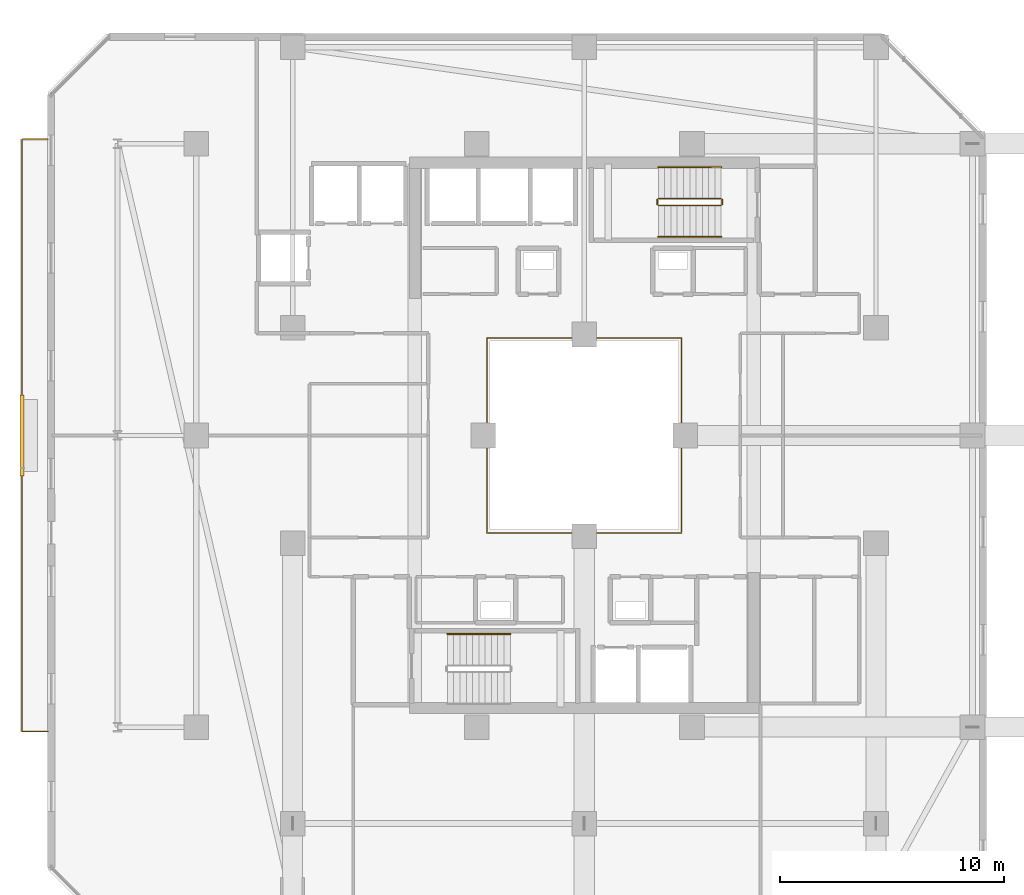
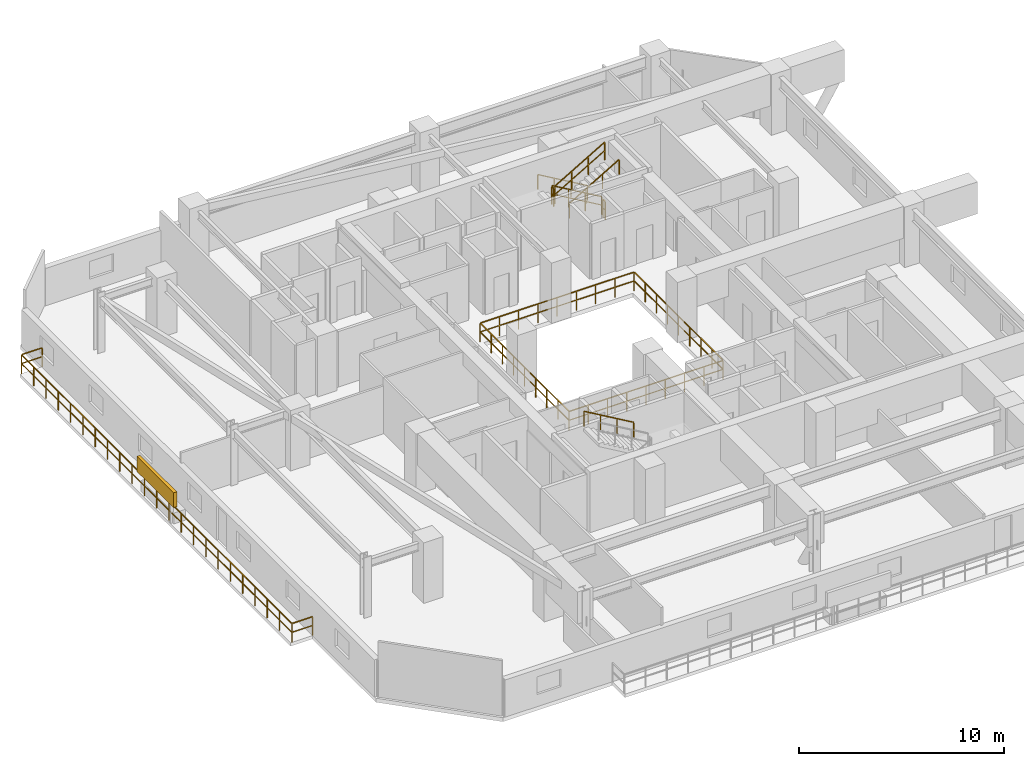
# One storey, part 32 of 35: 9 railings, 1 shading device.
"""IFC4 building model written with IfcOpenShell, lengths in metres."""

from ifc_helpers import new_model, si_unit, direction, frame, origin, origin_2d, place, context, subcontext, project, spatial, rectangle, extrude, material, type_object, element, save


model = new_model("IFC4")

# Units and contexts
model_context = context("Model", 3, precision=1e-05, world=origin(), true_north=direction((0.0, 1.0)))
body_context = subcontext(model_context, "Body", "Model", "MODEL_VIEW")
ifc_project = project(units=[si_unit("LENGTHUNIT", "METRE"), si_unit("AREAUNIT", "SQUARE_METRE"), si_unit("VOLUMEUNIT", "CUBIC_METRE"), si_unit("PLANEANGLEUNIT", "RADIAN"), si_unit("MASSUNIT", "GRAM", prefix="KILO")], contexts=[model_context])

# Site, building, storey
site_placement = place(None, origin())
site = spatial("IfcSite", under=ifc_project, at=site_placement, CompositionType="ELEMENT")
building_placement = place(site_placement, origin())
building = spatial("IfcBuilding", under=site, at=building_placement, Name="Thornwick Lancets Civic Towers", CompositionType="ELEMENT")
storey_placement = place(building_placement, frame((0.0, 0.0, 145.5)))
storey = spatial("IfcBuildingStorey", under=building, at=storey_placement, Name="L38", CompositionType="ELEMENT", Elevation=145.5)

# Railings
ifc_material_1 = material(Name="Laminated glass and bronze steel S355", Category="steel")
railing_type_1 = type_object("IfcRailingType", Name="RAIL_ATRIUM_GUARD", PredefinedType="BALUSTRADE", material=ifc_material_1)
railing_1_placement = place(storey_placement, frame((21.159912109375, 22.659912109375, 0.0)))
element("IfcRailing", 1, at=railing_1_placement, inside=storey, type_object=railing_type_1, Name="L38 Tower A Central Atrium Guard Balustrade", PredefinedType="BALUSTRADE", context=body_context, shape_type="SweptSolid", body=[
    extrude(rectangle(XDim=0.048095703125, YDim=0.048095703125, at=origin_2d()), frame((0.0, 0.0, 1.1259765625), z_axis=(1.0, 0.0, 0.0), x_axis=(0.0, 1.0, 0.0)), (0.0, 0.0, 1.0), 8.64892578125),
    extrude(rectangle(XDim=0.0419921875, YDim=0.0419921875, at=origin_2d()), frame((0.03759765625, 0.0, 0.597900390625), z_axis=(1.0, 0.0, 0.0), x_axis=(0.0, 1.0, 0.0)), (0.0, 0.0, 1.0), 1.010009765625),
    extrude(rectangle(XDim=0.0419921875, YDim=0.0419921875, at=origin_2d()), frame((1.12255859375, 0.0, 0.597900390625), z_axis=(1.0, 0.0, 0.0), x_axis=(0.0, 1.0, 0.0)), (0.0, 0.0, 1.0), 1.010009765625),
    extrude(rectangle(XDim=0.0419921875, YDim=0.0419921875, at=origin_2d()), frame((2.20751953125, 0.0, 0.597900390625), z_axis=(1.0, 0.0, 0.0), x_axis=(0.0, 1.0, 0.0)), (0.0, 0.0, 1.0), 1.010009765625),
    extrude(rectangle(XDim=0.0419921875, YDim=0.0419921875, at=origin_2d()), frame((3.29248046875, 0.0, 0.597900390625), z_axis=(1.0, 0.0, 0.0), x_axis=(0.0, 1.0, 0.0)), (0.0, 0.0, 1.0), 1.010009765625),
    extrude(rectangle(XDim=0.0419921875, YDim=0.0419921875, at=origin_2d()), frame((4.377685546875, 0.0, 0.597900390625), z_axis=(1.0, 0.0, 0.0), x_axis=(0.0, 1.0, 0.0)), (0.0, 0.0, 1.0), 1.010009765625),
    extrude(rectangle(XDim=0.0419921875, YDim=0.0419921875, at=origin_2d()), frame((5.462646484375, 0.0, 0.597900390625), z_axis=(1.0, 0.0, 0.0), x_axis=(0.0, 1.0, 0.0)), (0.0, 0.0, 1.0), 1.010009765625),
    extrude(rectangle(XDim=0.0419921875, YDim=0.0419921875, at=origin_2d()), frame((6.547607421875, 0.0, 0.597900390625), z_axis=(1.0, 0.0, 0.0), x_axis=(0.0, 1.0, 0.0)), (0.0, 0.0, 1.0), 1.010009765625),
    extrude(rectangle(XDim=0.0419921875, YDim=0.0419921875, at=origin_2d()), frame((7.632568359375, 0.0, 0.597900390625), z_axis=(1.0, 0.0, 0.0), x_axis=(0.0, 1.0, 0.0)), (0.0, 0.0, 1.0), 1.010009765625),
    extrude(rectangle(XDim=0.048095703125, YDim=0.048095703125, at=origin_2d()), frame((8.68017578125, 0.03125, 1.1259765625), z_axis=(0.0, 1.0, 0.0), x_axis=(-1.0, 0.0, 0.0)), (0.0, 0.0, 1.0), 8.61767578125),
    extrude(rectangle(XDim=0.0419921875, YDim=0.0419921875, at=origin_2d()), frame((8.68017578125, 0.03759765625, 0.597900390625), z_axis=(0.0, 1.0, 0.0), x_axis=(-1.0, 0.0, 0.0)), (0.0, 0.0, 1.0), 1.010009765625),
    extrude(rectangle(XDim=0.0419921875, YDim=0.0419921875, at=origin_2d()), frame((8.68017578125, 1.12255859375, 0.597900390625), z_axis=(0.0, 1.0, 0.0), x_axis=(-1.0, 0.0, 0.0)), (0.0, 0.0, 1.0), 1.010009765625),
    extrude(rectangle(XDim=0.0419921875, YDim=0.0419921875, at=origin_2d()), frame((8.68017578125, 2.20751953125, 0.597900390625), z_axis=(0.0, 1.0, 0.0), x_axis=(-1.0, 0.0, 0.0)), (0.0, 0.0, 1.0), 1.010009765625),
    extrude(rectangle(XDim=0.0419921875, YDim=0.0419921875, at=origin_2d()), frame((8.68017578125, 3.29248046875, 0.597900390625), z_axis=(0.0, 1.0, 0.0), x_axis=(-1.0, 0.0, 0.0)), (0.0, 0.0, 1.0), 1.010009765625),
    extrude(rectangle(XDim=0.0419921875, YDim=0.0419921875, at=origin_2d()), frame((8.68017578125, 4.377685546875, 0.597900390625), z_axis=(0.0, 1.0, 0.0), x_axis=(-1.0, 0.0, 0.0)), (0.0, 0.0, 1.0), 1.010009765625),
    extrude(rectangle(XDim=0.0419921875, YDim=0.0419921875, at=origin_2d()), frame((8.68017578125, 5.462646484375, 0.597900390625), z_axis=(0.0, 1.0, 0.0), x_axis=(-1.0, 0.0, 0.0)), (0.0, 0.0, 1.0), 1.010009765625),
    extrude(rectangle(XDim=0.0419921875, YDim=0.0419921875, at=origin_2d()), frame((8.68017578125, 6.547607421875, 0.597900390625), z_axis=(0.0, 1.0, 0.0), x_axis=(-1.0, 0.0, 0.0)), (0.0, 0.0, 1.0), 1.010009765625),
    extrude(rectangle(XDim=0.0419921875, YDim=0.0419921875, at=origin_2d()), frame((8.68017578125, 7.632568359375, 0.597900390625), z_axis=(0.0, 1.0, 0.0), x_axis=(-1.0, 0.0, 0.0)), (0.0, 0.0, 1.0), 1.010009765625),
    extrude(rectangle(XDim=0.048095703125, YDim=0.048095703125, at=origin_2d()), frame((8.64892578125, 8.68017578125, 1.1259765625), z_axis=(-1.0, 0.0, 0.0), x_axis=(0.0, -1.0, 0.0)), (0.0, 0.0, 1.0), 8.61767578125),
    extrude(rectangle(XDim=0.0419921875, YDim=0.0419921875, at=origin_2d()), frame((8.642578125, 8.68017578125, 0.597900390625), z_axis=(-1.0, 0.0, 0.0), x_axis=(0.0, -1.0, 0.0)), (0.0, 0.0, 1.0), 1.010009765625),
    extrude(rectangle(XDim=0.0419921875, YDim=0.0419921875, at=origin_2d()), frame((7.5576171875, 8.68017578125, 0.597900390625), z_axis=(-1.0, 0.0, 0.0), x_axis=(0.0, -1.0, 0.0)), (0.0, 0.0, 1.0), 1.010009765625),
    extrude(rectangle(XDim=0.0419921875, YDim=0.0419921875, at=origin_2d()), frame((6.47265625, 8.68017578125, 0.597900390625), z_axis=(-1.0, 0.0, 0.0), x_axis=(0.0, -1.0, 0.0)), (0.0, 0.0, 1.0), 1.010009765625),
    extrude(rectangle(XDim=0.0419921875, YDim=0.0419921875, at=origin_2d()), frame((5.3876953125, 8.68017578125, 0.597900390625), z_axis=(-1.0, 0.0, 0.0), x_axis=(0.0, -1.0, 0.0)), (0.0, 0.0, 1.0), 1.010009765625),
    extrude(rectangle(XDim=0.0419921875, YDim=0.0419921875, at=origin_2d()), frame((4.302490234375, 8.68017578125, 0.597900390625), z_axis=(-1.0, 0.0, 0.0), x_axis=(0.0, -1.0, 0.0)), (0.0, 0.0, 1.0), 1.010009765625),
    extrude(rectangle(XDim=0.0419921875, YDim=0.0419921875, at=origin_2d()), frame((3.217529296875, 8.68017578125, 0.597900390625), z_axis=(-1.0, 0.0, 0.0), x_axis=(0.0, -1.0, 0.0)), (0.0, 0.0, 1.0), 1.010009765625),
    extrude(rectangle(XDim=0.0419921875, YDim=0.0419921875, at=origin_2d()), frame((2.132568359375, 8.68017578125, 0.597900390625), z_axis=(-1.0, 0.0, 0.0), x_axis=(0.0, -1.0, 0.0)), (0.0, 0.0, 1.0), 1.010009765625),
    extrude(rectangle(XDim=0.0419921875, YDim=0.0419921875, at=origin_2d()), frame((1.047607421875, 8.68017578125, 0.597900390625), z_axis=(-1.0, 0.0, 0.0), x_axis=(0.0, -1.0, 0.0)), (0.0, 0.0, 1.0), 1.010009765625),
    extrude(rectangle(XDim=0.048095703125, YDim=0.048095703125, at=origin_2d()), frame((0.0, 8.64892578125, 1.1259765625), z_axis=(0.0, -1.0, 0.0), x_axis=(1.0, 0.0, 0.0)), (0.0, 0.0, 1.0), 8.64892578125),
    extrude(rectangle(XDim=0.0419921875, YDim=0.0419921875, at=origin_2d()), frame((0.0, 8.642578125, 0.597900390625), z_axis=(0.0, -1.0, 0.0), x_axis=(1.0, 0.0, 0.0)), (0.0, 0.0, 1.0), 1.010009765625),
    extrude(rectangle(XDim=0.0419921875, YDim=0.0419921875, at=origin_2d()), frame((0.0, 7.5576171875, 0.597900390625), z_axis=(0.0, -1.0, 0.0), x_axis=(1.0, 0.0, 0.0)), (0.0, 0.0, 1.0), 1.010009765625),
    extrude(rectangle(XDim=0.0419921875, YDim=0.0419921875, at=origin_2d()), frame((0.0, 6.47265625, 0.597900390625), z_axis=(0.0, -1.0, 0.0), x_axis=(1.0, 0.0, 0.0)), (0.0, 0.0, 1.0), 1.010009765625),
    extrude(rectangle(XDim=0.0419921875, YDim=0.0419921875, at=origin_2d()), frame((0.0, 5.3876953125, 0.597900390625), z_axis=(0.0, -1.0, 0.0), x_axis=(1.0, 0.0, 0.0)), (0.0, 0.0, 1.0), 1.010009765625),
    extrude(rectangle(XDim=0.0419921875, YDim=0.0419921875, at=origin_2d()), frame((0.0, 4.302490234375, 0.597900390625), z_axis=(0.0, -1.0, 0.0), x_axis=(1.0, 0.0, 0.0)), (0.0, 0.0, 1.0), 1.010009765625),
    extrude(rectangle(XDim=0.0419921875, YDim=0.0419921875, at=origin_2d()), frame((0.0, 3.217529296875, 0.597900390625), z_axis=(0.0, -1.0, 0.0), x_axis=(1.0, 0.0, 0.0)), (0.0, 0.0, 1.0), 1.010009765625),
    extrude(rectangle(XDim=0.0419921875, YDim=0.0419921875, at=origin_2d()), frame((0.0, 2.132568359375, 0.597900390625), z_axis=(0.0, -1.0, 0.0), x_axis=(1.0, 0.0, 0.0)), (0.0, 0.0, 1.0), 1.010009765625),
    extrude(rectangle(XDim=0.0419921875, YDim=0.0419921875, at=origin_2d()), frame((0.0, 1.047607421875, 0.597900390625), z_axis=(0.0, -1.0, 0.0), x_axis=(1.0, 0.0, 0.0)), (0.0, 0.0, 1.0), 1.010009765625),
    extrude(rectangle(XDim=0.0419921875, YDim=0.0419921875, at=origin_2d()), origin(), (0.0, 0.0, 1.0), 1.095703125),
    extrude(rectangle(XDim=0.0419921875, YDim=0.0419921875, at=origin_2d()), frame((1.0849609375, 0.0, 0.0)), (0.0, 0.0, 1.0), 1.095703125),
    extrude(rectangle(XDim=0.0419921875, YDim=0.0419921875, at=origin_2d()), frame((2.169921875, 0.0, 0.0)), (0.0, 0.0, 1.0), 1.095703125),
    extrude(rectangle(XDim=0.0419921875, YDim=0.0419921875, at=origin_2d()), frame((3.255126953125, 0.0, 0.0)), (0.0, 0.0, 1.0), 1.095703125),
    extrude(rectangle(XDim=0.0419921875, YDim=0.0419921875, at=origin_2d()), frame((4.340087890625, 0.0, 0.0)), (0.0, 0.0, 1.0), 1.095703125),
    extrude(rectangle(XDim=0.0419921875, YDim=0.0419921875, at=origin_2d()), frame((5.425048828125, 0.0, 0.0)), (0.0, 0.0, 1.0), 1.095703125),
    extrude(rectangle(XDim=0.0419921875, YDim=0.0419921875, at=origin_2d()), frame((6.51025390625, 0.0, 0.0)), (0.0, 0.0, 1.0), 1.095703125),
    extrude(rectangle(XDim=0.0419921875, YDim=0.0419921875, at=origin_2d()), frame((7.59521484375, 0.0, 0.0)), (0.0, 0.0, 1.0), 1.095703125),
    extrude(rectangle(XDim=0.0419921875, YDim=0.0419921875, at=origin_2d()), frame((8.68017578125, 0.0, 0.0)), (0.0, 0.0, 1.0), 1.095703125),
    extrude(rectangle(XDim=0.0419921875, YDim=0.0419921875, at=origin_2d()), frame((8.68017578125, 1.0849609375, 0.0)), (0.0, 0.0, 1.0), 1.095703125),
    extrude(rectangle(XDim=0.0419921875, YDim=0.0419921875, at=origin_2d()), frame((8.68017578125, 2.169921875, 0.0)), (0.0, 0.0, 1.0), 1.095703125),
    extrude(rectangle(XDim=0.0419921875, YDim=0.0419921875, at=origin_2d()), frame((8.68017578125, 3.255126953125, 0.0)), (0.0, 0.0, 1.0), 1.095703125),
    extrude(rectangle(XDim=0.0419921875, YDim=0.0419921875, at=origin_2d()), frame((8.68017578125, 4.340087890625, 0.0)), (0.0, 0.0, 1.0), 1.095703125),
    extrude(rectangle(XDim=0.0419921875, YDim=0.0419921875, at=origin_2d()), frame((8.68017578125, 5.425048828125, 0.0)), (0.0, 0.0, 1.0), 1.095703125),
    extrude(rectangle(XDim=0.0419921875, YDim=0.0419921875, at=origin_2d()), frame((8.68017578125, 6.51025390625, 0.0)), (0.0, 0.0, 1.0), 1.095703125),
    extrude(rectangle(XDim=0.0419921875, YDim=0.0419921875, at=origin_2d()), frame((8.68017578125, 7.59521484375, 0.0)), (0.0, 0.0, 1.0), 1.095703125),
    extrude(rectangle(XDim=0.0419921875, YDim=0.0419921875, at=origin_2d()), frame((8.68017578125, 8.68017578125, 0.0)), (0.0, 0.0, 1.0), 1.095703125),
    extrude(rectangle(XDim=0.0419921875, YDim=0.0419921875, at=origin_2d()), frame((7.59521484375, 8.68017578125, 0.0)), (0.0, 0.0, 1.0), 1.095703125),
    extrude(rectangle(XDim=0.0419921875, YDim=0.0419921875, at=origin_2d()), frame((6.51025390625, 8.68017578125, 0.0)), (0.0, 0.0, 1.0), 1.095703125),
    extrude(rectangle(XDim=0.0419921875, YDim=0.0419921875, at=origin_2d()), frame((5.425048828125, 8.68017578125, 0.0)), (0.0, 0.0, 1.0), 1.095703125),
    extrude(rectangle(XDim=0.0419921875, YDim=0.0419921875, at=origin_2d()), frame((4.340087890625, 8.68017578125, 0.0)), (0.0, 0.0, 1.0), 1.095703125),
    extrude(rectangle(XDim=0.0419921875, YDim=0.0419921875, at=origin_2d()), frame((3.255126953125, 8.68017578125, 0.0)), (0.0, 0.0, 1.0), 1.095703125),
    extrude(rectangle(XDim=0.0419921875, YDim=0.0419921875, at=origin_2d()), frame((2.169921875, 8.68017578125, 0.0)), (0.0, 0.0, 1.0), 1.095703125),
    extrude(rectangle(XDim=0.0419921875, YDim=0.0419921875, at=origin_2d()), frame((1.0849609375, 8.68017578125, 0.0)), (0.0, 0.0, 1.0), 1.095703125),
    extrude(rectangle(XDim=0.0419921875, YDim=0.0419921875, at=origin_2d()), frame((0.0, 8.68017578125, 0.0)), (0.0, 0.0, 1.0), 1.095703125),
    extrude(rectangle(XDim=0.0419921875, YDim=0.0419921875, at=origin_2d()), frame((0.0, 7.59521484375, 0.0)), (0.0, 0.0, 1.0), 1.095703125),
    extrude(rectangle(XDim=0.0419921875, YDim=0.0419921875, at=origin_2d()), frame((0.0, 6.51025390625, 0.0)), (0.0, 0.0, 1.0), 1.095703125),
    extrude(rectangle(XDim=0.0419921875, YDim=0.0419921875, at=origin_2d()), frame((0.0, 5.425048828125, 0.0)), (0.0, 0.0, 1.0), 1.095703125),
    extrude(rectangle(XDim=0.0419921875, YDim=0.0419921875, at=origin_2d()), frame((0.0, 4.340087890625, 0.0)), (0.0, 0.0, 1.0), 1.095703125),
    extrude(rectangle(XDim=0.0419921875, YDim=0.0419921875, at=origin_2d()), frame((0.0, 3.255126953125, 0.0)), (0.0, 0.0, 1.0), 1.095703125),
    extrude(rectangle(XDim=0.0419921875, YDim=0.0419921875, at=origin_2d()), frame((0.0, 2.169921875, 0.0)), (0.0, 0.0, 1.0), 1.095703125),
    extrude(rectangle(XDim=0.0419921875, YDim=0.0419921875, at=origin_2d()), frame((0.0, 1.0849609375, 0.0)), (0.0, 0.0, 1.0), 1.095703125),
])
ifc_material_2 = material(Name="Brushed stainless steel S355", Category="steel")
railing_type_2 = type_object("IfcRailingType", Name="RAIL_HANDRAIL", PredefinedType="HANDRAIL", material=ifc_material_2)
for number, where, name in (
    (2, (22.199951171875, 18.14990234375, 1.963623046875), "L38 ST-A1 stair handrail 2"),
    (3, (31.60009765625, 38.949951171875, 0.16357421875), "L38 ST-A2 stair handrail 1"),
):
    element("IfcRailing", number, at=place(storey_placement, frame(where)), inside=storey, type_object=railing_type_2, Name=name, PredefinedType="HANDRAIL", context=body_context, shape_type="SweptSolid", body=[
        extrude(rectangle(XDim=0.048095703125, YDim=0.048095703125, at=origin_2d()), frame((0.0, 0.0, 0.8857421875), z_axis=(-0.863360870873, 0.0, 0.504586966384), x_axis=(0.0, -1.0, 0.0)), (0.0, 0.0, 1.0), 3.2431640625),
        extrude(rectangle(XDim=0.0419921875, YDim=0.0419921875, at=origin_2d()), origin(), (0.0, 0.0, 1.0), 0.855712890625),
        extrude(rectangle(XDim=0.0419921875, YDim=0.0419921875, at=origin_2d()), frame((-0.933349609375, 0.0, 0.54541015625)), (0.0, 0.0, 1.0), 0.855712890625),
        extrude(rectangle(XDim=0.0419921875, YDim=0.0419921875, at=origin_2d()), frame((-1.86669921875, 0.0, 1.091064453125)), (0.0, 0.0, 1.0), 0.855712890625),
        extrude(rectangle(XDim=0.0419921875, YDim=0.0419921875, at=origin_2d()), frame((-2.800048828125, 0.0, 1.636474609375)), (0.0, 0.0, 1.0), 0.855712890625),
    ])
railing_2_placement = place(storey_placement, frame((28.800048828125, 35.85009765625, 1.963623046875)))
element("IfcRailing", 4, at=railing_2_placement, inside=storey, type_object=railing_type_2, Name="L38 ST-A2 stair handrail 2", PredefinedType="HANDRAIL", context=body_context, shape_type="SweptSolid", body=[
    extrude(rectangle(XDim=0.048095703125, YDim=0.048095703125, at=origin_2d()), frame((0.0, 0.0, 0.8857421875), z_axis=(0.863360870873, 0.0, 0.504586966384), x_axis=(0.0, 1.0, 0.0)), (0.0, 0.0, 1.0), 3.2431640625),
    extrude(rectangle(XDim=0.0419921875, YDim=0.0419921875, at=origin_2d()), origin(), (0.0, 0.0, 1.0), 0.855712890625),
    extrude(rectangle(XDim=0.0419921875, YDim=0.0419921875, at=origin_2d()), frame((0.933349609375, 0.0, 0.54541015625)), (0.0, 0.0, 1.0), 0.855712890625),
    extrude(rectangle(XDim=0.0419921875, YDim=0.0419921875, at=origin_2d()), frame((1.86669921875, 0.0, 1.091064453125)), (0.0, 0.0, 1.0), 0.855712890625),
    extrude(rectangle(XDim=0.0419921875, YDim=0.0419921875, at=origin_2d()), frame((2.800048828125, 0.0, 1.636474609375)), (0.0, 0.0, 1.0), 0.855712890625),
])
ifc_material_3 = material(Name="Steel S355JR", Category="steel")
railing_type_3 = type_object("IfcRailingType", Name="RAIL_STAIR_GUARD", PredefinedType="GUARDRAIL", material=ifc_material_3)
railing_3_placement = place(storey_placement, frame((31.60009765625, 37.550048828125, 0.16357421875)))
element("IfcRailing", 5, at=railing_3_placement, inside=storey, type_object=railing_type_3, Name="L38 ST-A2 stair guard 1", PredefinedType="GUARDRAIL", context=body_context, shape_type="SweptSolid", body=[
    extrude(rectangle(XDim=0.048095703125, YDim=0.048095703125, at=origin_2d()), frame((0.0, 0.0, 1.076171875), z_axis=(-0.863360870873, 0.0, 0.504586966384), x_axis=(0.0, -1.0, 0.0)), (0.0, 0.0, 1.0), 3.2431640625),
    extrude(rectangle(XDim=0.0419921875, YDim=0.0419921875, at=origin_2d()), frame((-0.032470703125, 0.0, 0.591064453125), z_axis=(-0.863360870873, 0.0, 0.504586966384), x_axis=(0.0, -1.0, 0.0)), (0.0, 0.0, 1.0), 1.006103515625),
    extrude(rectangle(XDim=0.0419921875, YDim=0.0419921875, at=origin_2d()), frame((-0.9658203125, 0.0, 1.136474609375), z_axis=(-0.863360870873, 0.0, 0.504586966384), x_axis=(0.0, -1.0, 0.0)), (0.0, 0.0, 1.0), 1.006103515625),
    extrude(rectangle(XDim=0.0419921875, YDim=0.0419921875, at=origin_2d()), frame((-1.899169921875, 0.0, 1.681884765625), z_axis=(-0.863360870873, 0.0, 0.504586966384), x_axis=(0.0, -1.0, 0.0)), (0.0, 0.0, 1.0), 1.006103515625),
    extrude(rectangle(XDim=0.0419921875, YDim=0.0419921875, at=origin_2d()), origin(), (0.0, 0.0, 1.0), 1.0458984375),
    extrude(rectangle(XDim=0.0419921875, YDim=0.0419921875, at=origin_2d()), frame((-0.933349609375, 0.0, 0.54541015625)), (0.0, 0.0, 1.0), 1.0458984375),
    extrude(rectangle(XDim=0.0419921875, YDim=0.0419921875, at=origin_2d()), frame((-1.86669921875, 0.0, 1.091064453125)), (0.0, 0.0, 1.0), 1.0458984375),
    extrude(rectangle(XDim=0.0419921875, YDim=0.0419921875, at=origin_2d()), frame((-2.800048828125, 0.0, 1.636474609375)), (0.0, 0.0, 1.0), 1.0458984375),
])
railing_4_placement = place(storey_placement, frame((28.75, 37.5, 1.800048828125)))
element("IfcRailing", 6, at=railing_4_placement, inside=storey, type_object=railing_type_3, Name="L38 ST-A2 stair guard 2", PredefinedType="GUARDRAIL", context=body_context, shape_type="SweptSolid", body=[
    extrude(rectangle(XDim=0.048095703125, YDim=0.048095703125, at=origin_2d()), frame((0.0, 0.0, 1.076171875), z_axis=(0.0, -1.0, 0.0), x_axis=(1.0, 0.0, 0.0)), (0.0, 0.0, 1.0), 0.199951171875),
    extrude(rectangle(XDim=0.0419921875, YDim=0.0419921875, at=origin_2d()), frame((0.0, -0.03759765625, 0.572021484375), z_axis=(0.0, -1.0, 0.0), x_axis=(1.0, 0.0, 0.0)), (0.0, 0.0, 1.0), 0.125),
    extrude(rectangle(XDim=0.0419921875, YDim=0.0419921875, at=origin_2d()), origin(), (0.0, 0.0, 1.0), 1.0458984375),
    extrude(rectangle(XDim=0.0419921875, YDim=0.0419921875, at=origin_2d()), frame((0.0, -0.199951171875, 0.0)), (0.0, 0.0, 1.0), 1.0458984375),
])
railing_5_placement = place(storey_placement, frame((28.800048828125, 37.25, 1.963623046875)))
element("IfcRailing", 7, at=railing_5_placement, inside=storey, type_object=railing_type_3, Name="L38 ST-A2 stair guard 3", PredefinedType="GUARDRAIL", context=body_context, shape_type="SweptSolid", body=[
    extrude(rectangle(XDim=0.048095703125, YDim=0.048095703125, at=origin_2d()), frame((0.0, 0.0, 1.076171875), z_axis=(0.863360870873, 0.0, 0.504586966384), x_axis=(0.0, 1.0, 0.0)), (0.0, 0.0, 1.0), 3.2431640625),
    extrude(rectangle(XDim=0.0419921875, YDim=0.0419921875, at=origin_2d()), frame((0.032470703125, 0.0, 0.591064453125), z_axis=(0.863360870873, 0.0, 0.504586966384), x_axis=(0.0, 1.0, 0.0)), (0.0, 0.0, 1.0), 1.006103515625),
    extrude(rectangle(XDim=0.0419921875, YDim=0.0419921875, at=origin_2d()), frame((0.9658203125, 0.0, 1.136474609375), z_axis=(0.863360870873, 0.0, 0.504586966384), x_axis=(0.0, 1.0, 0.0)), (0.0, 0.0, 1.0), 1.006103515625),
    extrude(rectangle(XDim=0.0419921875, YDim=0.0419921875, at=origin_2d()), frame((1.899169921875, 0.0, 1.681884765625), z_axis=(0.863360870873, 0.0, 0.504586966384), x_axis=(0.0, 1.0, 0.0)), (0.0, 0.0, 1.0), 1.006103515625),
    extrude(rectangle(XDim=0.0419921875, YDim=0.0419921875, at=origin_2d()), origin(), (0.0, 0.0, 1.0), 1.0458984375),
    extrude(rectangle(XDim=0.0419921875, YDim=0.0419921875, at=origin_2d()), frame((0.933349609375, 0.0, 0.54541015625)), (0.0, 0.0, 1.0), 1.0458984375),
    extrude(rectangle(XDim=0.0419921875, YDim=0.0419921875, at=origin_2d()), frame((1.86669921875, 0.0, 1.091064453125)), (0.0, 0.0, 1.0), 1.0458984375),
    extrude(rectangle(XDim=0.0419921875, YDim=0.0419921875, at=origin_2d()), frame((2.800048828125, 0.0, 1.636474609375)), (0.0, 0.0, 1.0), 1.0458984375),
])
railing_6_placement = place(storey_placement, frame((31.64990234375, 37.5, 0.0)))
element("IfcRailing", 8, at=railing_6_placement, inside=storey, type_object=railing_type_3, Name="L38 ST-A2 stair guard 4", PredefinedType="GUARDRAIL", context=body_context, shape_type="SweptSolid", body=[
    extrude(rectangle(XDim=0.048095703125, YDim=0.048095703125, at=origin_2d()), frame((0.0, 0.0, 1.076171875), z_axis=(0.0, -1.0, 0.0), x_axis=(1.0, 0.0, 0.0)), (0.0, 0.0, 1.0), 0.199951171875),
    extrude(rectangle(XDim=0.0419921875, YDim=0.0419921875, at=origin_2d()), frame((0.0, -0.03759765625, 0.572021484375), z_axis=(0.0, -1.0, 0.0), x_axis=(1.0, 0.0, 0.0)), (0.0, 0.0, 1.0), 0.125),
    extrude(rectangle(XDim=0.0419921875, YDim=0.0419921875, at=origin_2d()), origin(), (0.0, 0.0, 1.0), 1.0458984375),
    extrude(rectangle(XDim=0.0419921875, YDim=0.0419921875, at=origin_2d()), frame((0.0, -0.199951171875, 0.0)), (0.0, 0.0, 1.0), 1.0458984375),
])
ifc_material_4 = material(Name="Terracotta-capped laminated glass balustrade S355", Category="masonry")
railing_type_4 = type_object("IfcRailingType", Name="RAIL_TERR_GUARD", PredefinedType="GUARDRAIL", material=ifc_material_4)
railing_7_placement = place(storey_placement, frame((1.60009765625, 13.800048828125, 0.0)))
element("IfcRailing", 9, at=railing_7_placement, inside=storey, type_object=railing_type_4, Name="L38 Tower A Balcony Guard W", PredefinedType="GUARDRAIL", context=body_context, shape_type="SweptSolid", body=[
    extrude(rectangle(XDim=0.048095703125, YDim=0.048095703125, at=origin_2d()), frame((0.0, 0.0, 1.1259765625), z_axis=(-1.0, 0.0, 0.0), x_axis=(0.0, -1.0, 0.0)), (0.0, 0.0, 1.0), 1.138916015625),
    extrude(rectangle(XDim=0.0419921875, YDim=0.0419921875, at=origin_2d()), frame((-0.03759765625, 0.0, 0.597900390625), z_axis=(-1.0, 0.0, 0.0), x_axis=(0.0, -1.0, 0.0)), (0.0, 0.0, 1.0), 1.09521484375),
    extrude(rectangle(XDim=0.048095703125, YDim=0.048095703125, at=origin_2d()), frame((-1.170166015625, 0.03125, 1.1259765625), z_axis=(0.0, 1.0, 0.0), x_axis=(-1.0, 0.0, 0.0)), (0.0, 0.0, 1.0), 26.33740234375),
    extrude(rectangle(XDim=0.0419921875, YDim=0.0419921875, at=origin_2d()), frame((-1.170166015625, 0.03759765625, 0.597900390625), z_axis=(0.0, 1.0, 0.0), x_axis=(-1.0, 0.0, 0.0)), (0.0, 0.0, 1.0), 1.125),
    extrude(rectangle(XDim=0.0419921875, YDim=0.0419921875, at=origin_2d()), frame((-1.170166015625, 1.237548828125, 0.597900390625), z_axis=(0.0, 1.0, 0.0), x_axis=(-1.0, 0.0, 0.0)), (0.0, 0.0, 1.0), 1.125),
    extrude(rectangle(XDim=0.0419921875, YDim=0.0419921875, at=origin_2d()), frame((-1.170166015625, 2.4375, 0.597900390625), z_axis=(0.0, 1.0, 0.0), x_axis=(-1.0, 0.0, 0.0)), (0.0, 0.0, 1.0), 1.125),
    extrude(rectangle(XDim=0.0419921875, YDim=0.0419921875, at=origin_2d()), frame((-1.170166015625, 3.637451171875, 0.597900390625), z_axis=(0.0, 1.0, 0.0), x_axis=(-1.0, 0.0, 0.0)), (0.0, 0.0, 1.0), 1.125),
    extrude(rectangle(XDim=0.0419921875, YDim=0.0419921875, at=origin_2d()), frame((-1.170166015625, 4.83740234375, 0.597900390625), z_axis=(0.0, 1.0, 0.0), x_axis=(-1.0, 0.0, 0.0)), (0.0, 0.0, 1.0), 1.125),
    extrude(rectangle(XDim=0.0419921875, YDim=0.0419921875, at=origin_2d()), frame((-1.170166015625, 6.037353515625, 0.597900390625), z_axis=(0.0, 1.0, 0.0), x_axis=(-1.0, 0.0, 0.0)), (0.0, 0.0, 1.0), 1.125),
    extrude(rectangle(XDim=0.0419921875, YDim=0.0419921875, at=origin_2d()), frame((-1.170166015625, 7.237548828125, 0.597900390625), z_axis=(0.0, 1.0, 0.0), x_axis=(-1.0, 0.0, 0.0)), (0.0, 0.0, 1.0), 1.125),
    extrude(rectangle(XDim=0.0419921875, YDim=0.0419921875, at=origin_2d()), frame((-1.170166015625, 8.4375, 0.597900390625), z_axis=(0.0, 1.0, 0.0), x_axis=(-1.0, 0.0, 0.0)), (0.0, 0.0, 1.0), 1.125),
    extrude(rectangle(XDim=0.0419921875, YDim=0.0419921875, at=origin_2d()), frame((-1.170166015625, 9.637451171875, 0.597900390625), z_axis=(0.0, 1.0, 0.0), x_axis=(-1.0, 0.0, 0.0)), (0.0, 0.0, 1.0), 1.125),
    extrude(rectangle(XDim=0.0419921875, YDim=0.0419921875, at=origin_2d()), frame((-1.170166015625, 10.83740234375, 0.597900390625), z_axis=(0.0, 1.0, 0.0), x_axis=(-1.0, 0.0, 0.0)), (0.0, 0.0, 1.0), 1.125),
    extrude(rectangle(XDim=0.0419921875, YDim=0.0419921875, at=origin_2d()), frame((-1.170166015625, 12.037353515625, 0.597900390625), z_axis=(0.0, 1.0, 0.0), x_axis=(-1.0, 0.0, 0.0)), (0.0, 0.0, 1.0), 1.125),
    extrude(rectangle(XDim=0.0419921875, YDim=0.0419921875, at=origin_2d()), frame((-1.170166015625, 13.237548828125, 0.597900390625), z_axis=(0.0, 1.0, 0.0), x_axis=(-1.0, 0.0, 0.0)), (0.0, 0.0, 1.0), 1.125),
    extrude(rectangle(XDim=0.0419921875, YDim=0.0419921875, at=origin_2d()), frame((-1.170166015625, 14.4375, 0.597900390625), z_axis=(0.0, 1.0, 0.0), x_axis=(-1.0, 0.0, 0.0)), (0.0, 0.0, 1.0), 1.125),
    extrude(rectangle(XDim=0.0419921875, YDim=0.0419921875, at=origin_2d()), frame((-1.170166015625, 15.637451171875, 0.597900390625), z_axis=(0.0, 1.0, 0.0), x_axis=(-1.0, 0.0, 0.0)), (0.0, 0.0, 1.0), 1.125),
    extrude(rectangle(XDim=0.0419921875, YDim=0.0419921875, at=origin_2d()), frame((-1.170166015625, 16.83740234375, 0.597900390625), z_axis=(0.0, 1.0, 0.0), x_axis=(-1.0, 0.0, 0.0)), (0.0, 0.0, 1.0), 1.125),
    extrude(rectangle(XDim=0.0419921875, YDim=0.0419921875, at=origin_2d()), frame((-1.170166015625, 18.037353515625, 0.597900390625), z_axis=(0.0, 1.0, 0.0), x_axis=(-1.0, 0.0, 0.0)), (0.0, 0.0, 1.0), 1.125),
    extrude(rectangle(XDim=0.0419921875, YDim=0.0419921875, at=origin_2d()), frame((-1.170166015625, 19.2373046875, 0.597900390625), z_axis=(0.0, 1.0, 0.0), x_axis=(-1.0, 0.0, 0.0)), (0.0, 0.0, 1.0), 1.125),
    extrude(rectangle(XDim=0.0419921875, YDim=0.0419921875, at=origin_2d()), frame((-1.170166015625, 20.4375, 0.597900390625), z_axis=(0.0, 1.0, 0.0), x_axis=(-1.0, 0.0, 0.0)), (0.0, 0.0, 1.0), 1.125),
    extrude(rectangle(XDim=0.0419921875, YDim=0.0419921875, at=origin_2d()), frame((-1.170166015625, 21.637451171875, 0.597900390625), z_axis=(0.0, 1.0, 0.0), x_axis=(-1.0, 0.0, 0.0)), (0.0, 0.0, 1.0), 1.125),
    extrude(rectangle(XDim=0.0419921875, YDim=0.0419921875, at=origin_2d()), frame((-1.170166015625, 22.83740234375, 0.597900390625), z_axis=(0.0, 1.0, 0.0), x_axis=(-1.0, 0.0, 0.0)), (0.0, 0.0, 1.0), 1.125),
    extrude(rectangle(XDim=0.0419921875, YDim=0.0419921875, at=origin_2d()), frame((-1.170166015625, 24.037353515625, 0.597900390625), z_axis=(0.0, 1.0, 0.0), x_axis=(-1.0, 0.0, 0.0)), (0.0, 0.0, 1.0), 1.125),
    extrude(rectangle(XDim=0.0419921875, YDim=0.0419921875, at=origin_2d()), frame((-1.170166015625, 25.2373046875, 0.597900390625), z_axis=(0.0, 1.0, 0.0), x_axis=(-1.0, 0.0, 0.0)), (0.0, 0.0, 1.0), 1.125),
    extrude(rectangle(XDim=0.048095703125, YDim=0.048095703125, at=origin_2d()), frame((-1.138916015625, 26.39990234375, 1.1259765625), z_axis=(1.0, 0.0, 0.0), x_axis=(0.0, 1.0, 0.0)), (0.0, 0.0, 1.0), 1.138916015625),
    extrude(rectangle(XDim=0.0419921875, YDim=0.0419921875, at=origin_2d()), frame((-1.132568359375, 26.39990234375, 0.597900390625), z_axis=(1.0, 0.0, 0.0), x_axis=(0.0, 1.0, 0.0)), (0.0, 0.0, 1.0), 1.09521484375),
    extrude(rectangle(XDim=0.0419921875, YDim=0.0419921875, at=origin_2d()), origin(), (0.0, 0.0, 1.0), 1.095703125),
    extrude(rectangle(XDim=0.0419921875, YDim=0.0419921875, at=origin_2d()), frame((-1.170166015625, 0.0, 0.0)), (0.0, 0.0, 1.0), 1.095703125),
    extrude(rectangle(XDim=0.0419921875, YDim=0.0419921875, at=origin_2d()), frame((-1.170166015625, 1.199951171875, 0.0)), (0.0, 0.0, 1.0), 1.095703125),
    extrude(rectangle(XDim=0.0419921875, YDim=0.0419921875, at=origin_2d()), frame((-1.170166015625, 2.39990234375, 0.0)), (0.0, 0.0, 1.0), 1.095703125),
    extrude(rectangle(XDim=0.0419921875, YDim=0.0419921875, at=origin_2d()), frame((-1.170166015625, 3.60009765625, 0.0)), (0.0, 0.0, 1.0), 1.095703125),
    extrude(rectangle(XDim=0.0419921875, YDim=0.0419921875, at=origin_2d()), frame((-1.170166015625, 4.800048828125, 0.0)), (0.0, 0.0, 1.0), 1.095703125),
    extrude(rectangle(XDim=0.0419921875, YDim=0.0419921875, at=origin_2d()), frame((-1.170166015625, 6.0, 0.0)), (0.0, 0.0, 1.0), 1.095703125),
    extrude(rectangle(XDim=0.0419921875, YDim=0.0419921875, at=origin_2d()), frame((-1.170166015625, 7.199951171875, 0.0)), (0.0, 0.0, 1.0), 1.095703125),
    extrude(rectangle(XDim=0.0419921875, YDim=0.0419921875, at=origin_2d()), frame((-1.170166015625, 8.39990234375, 0.0)), (0.0, 0.0, 1.0), 1.095703125),
    extrude(rectangle(XDim=0.0419921875, YDim=0.0419921875, at=origin_2d()), frame((-1.170166015625, 9.599853515625, 0.0)), (0.0, 0.0, 1.0), 1.095703125),
    extrude(rectangle(XDim=0.0419921875, YDim=0.0419921875, at=origin_2d()), frame((-1.170166015625, 10.800048828125, 0.0)), (0.0, 0.0, 1.0), 1.095703125),
    extrude(rectangle(XDim=0.0419921875, YDim=0.0419921875, at=origin_2d()), frame((-1.170166015625, 12.0, 0.0)), (0.0, 0.0, 1.0), 1.095703125),
    extrude(rectangle(XDim=0.0419921875, YDim=0.0419921875, at=origin_2d()), frame((-1.170166015625, 13.199951171875, 0.0)), (0.0, 0.0, 1.0), 1.095703125),
    extrude(rectangle(XDim=0.0419921875, YDim=0.0419921875, at=origin_2d()), frame((-1.170166015625, 14.39990234375, 0.0)), (0.0, 0.0, 1.0), 1.095703125),
    extrude(rectangle(XDim=0.0419921875, YDim=0.0419921875, at=origin_2d()), frame((-1.170166015625, 15.599853515625, 0.0)), (0.0, 0.0, 1.0), 1.095703125),
    extrude(rectangle(XDim=0.0419921875, YDim=0.0419921875, at=origin_2d()), frame((-1.170166015625, 16.800048828125, 0.0)), (0.0, 0.0, 1.0), 1.095703125),
    extrude(rectangle(XDim=0.0419921875, YDim=0.0419921875, at=origin_2d()), frame((-1.170166015625, 18.0, 0.0)), (0.0, 0.0, 1.0), 1.095703125),
    extrude(rectangle(XDim=0.0419921875, YDim=0.0419921875, at=origin_2d()), frame((-1.170166015625, 19.199951171875, 0.0)), (0.0, 0.0, 1.0), 1.095703125),
    extrude(rectangle(XDim=0.0419921875, YDim=0.0419921875, at=origin_2d()), frame((-1.170166015625, 20.39990234375, 0.0)), (0.0, 0.0, 1.0), 1.095703125),
    extrude(rectangle(XDim=0.0419921875, YDim=0.0419921875, at=origin_2d()), frame((-1.170166015625, 21.599853515625, 0.0)), (0.0, 0.0, 1.0), 1.095703125),
    extrude(rectangle(XDim=0.0419921875, YDim=0.0419921875, at=origin_2d()), frame((-1.170166015625, 22.7998046875, 0.0)), (0.0, 0.0, 1.0), 1.095703125),
    extrude(rectangle(XDim=0.0419921875, YDim=0.0419921875, at=origin_2d()), frame((-1.170166015625, 24.0, 0.0)), (0.0, 0.0, 1.0), 1.095703125),
    extrude(rectangle(XDim=0.0419921875, YDim=0.0419921875, at=origin_2d()), frame((-1.170166015625, 25.199951171875, 0.0)), (0.0, 0.0, 1.0), 1.095703125),
    extrude(rectangle(XDim=0.0419921875, YDim=0.0419921875, at=origin_2d()), frame((-1.170166015625, 26.39990234375, 0.0)), (0.0, 0.0, 1.0), 1.095703125),
    extrude(rectangle(XDim=0.0419921875, YDim=0.0419921875, at=origin_2d()), frame((0.0, 26.39990234375, 0.0)), (0.0, 0.0, 1.0), 1.095703125),
])

# Shading device
ifc_material_5 = material(Name="Extruded terracotta baguette solar screen", Category="masonry")
shading_device_type = type_object("IfcShadingDeviceType", Name="SHADE_BAGUETTE", PredefinedType="JALOUSIE", material=ifc_material_5)
shading_device_placement = place(storey_placement, frame((0.43994140625, 27.0, 1.1201171875), z_axis=(0.0, 0.0, 1.0), x_axis=(0.0, 1.0, 0.0)))
element("IfcShadingDevice", 10, at=shading_device_placement, inside=storey, type_object=shading_device_type, Name="L38 Tower A Terracotta Baguette Screen W", PredefinedType="JALOUSIE", context=body_context, shape_type="SweptSolid", body=[
    extrude(rectangle(XDim=3.60009765625, YDim=0.179931640625, at=origin_2d()), origin(), (0.0, 0.0, 1.0), 0.89990234375),
])

save(model, "model.ifc")
